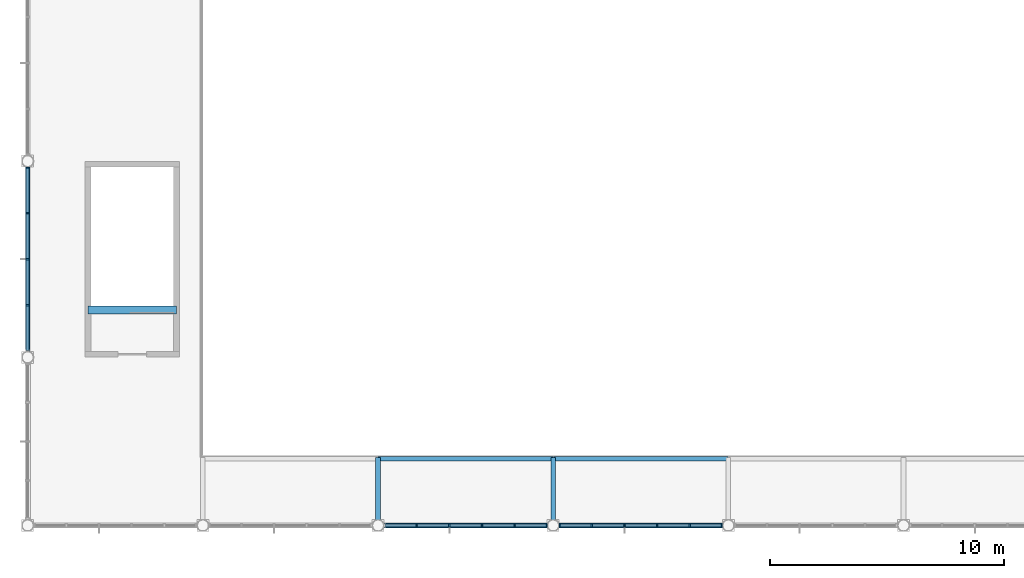
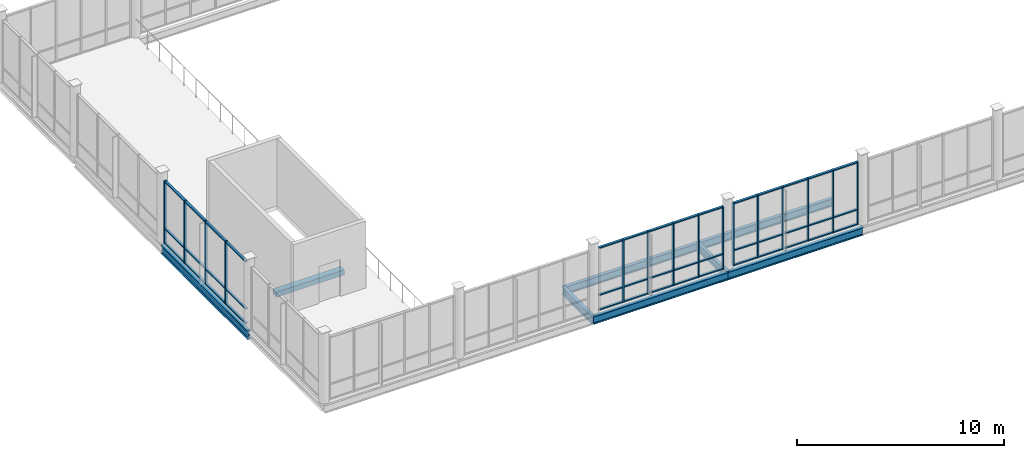
# One storey, part 16 of 75: 57 members, 8 beams, 3 elements without a shape of their own.
"""IFC4 building model written with IfcOpenShell, lengths in metres."""

from ifc_helpers import new_model, si_unit, direction, frame, origin, origin_2d, place, context, subcontext, project, spatial, rectangle, i_section, extrude, material, layer, layer_set, material_profile, profile_set, type_object, element, aggregate, save


model = new_model("IFC4")

# Units and contexts
model_context = context("Model", 3, precision=1e-05, world=origin(), true_north=direction((0.0, 1.0)))
body_context = subcontext(model_context, "Body", "Model", "MODEL_VIEW")
ifc_project = project(units=[si_unit("LENGTHUNIT", "METRE"), si_unit("AREAUNIT", "SQUARE_METRE"), si_unit("VOLUMEUNIT", "CUBIC_METRE"), si_unit("PLANEANGLEUNIT", "RADIAN"), si_unit("MASSUNIT", "GRAM", prefix="KILO")], contexts=[model_context])

# Site, building, storey
site_placement = place(None, origin())
site = spatial("IfcSite", under=ifc_project, at=site_placement, CompositionType="ELEMENT")
building_placement = place(site_placement, origin())
building = spatial("IfcBuilding", under=site, at=building_placement, Name="Yukiwa Park Conservatory and Herbarium", CompositionType="ELEMENT")
storey_placement = place(building_placement, frame((0.0, 0.0, 4.800048828125)))
storey = spatial("IfcBuildingStorey", under=building, at=storey_placement, Name="L01", CompositionType="ELEMENT", Elevation=4.800048828125)

# Beams
ifc_material_1 = material(Name="Steel Q355D", Category="steel")
ifc_material_profile_1 = material_profile(ifc_material_1, i_section(OverallWidth=0.199951171875, OverallDepth=0.449951171875, WebThickness=0.009033203125, FlangeThickness=0.013916015625, FilletRadius=0.01806640625, at=origin_2d()), Name="HN 450x200x9x14")
ifc_profile_set_1 = profile_set([ifc_material_profile_1], Name="Steel Q355D")
beam_type_1 = type_object("IfcBeamType", Name="BM-GRD-HN450", PredefinedType="BEAM", material=ifc_profile_set_1)
for number, where, z_axis, x_axis, name in (
    (1, (15.006103515625, 0.0, -0.465087890625), (1.0, 0.0, 0.0), (0.0, 1.0, 0.0), "L01 grid beam X-3"),
    (2, (22.506103515625, 0.0, -0.465087890625), (1.0, 0.0, 0.0), (0.0, 1.0, 0.0), "L01 grid beam X-4"),
):
    element("IfcBeam", number, at=place(storey_placement, frame(where, z_axis=z_axis, x_axis=x_axis)), inside=storey, type_object=beam_type_1, Name=name, PredefinedType="BEAM", context=body_context, shape_type="SweptSolid", body=[
        extrude(i_section(OverallWidth=0.199951171875, OverallDepth=0.449951171875, WebThickness=0.009033203125, FlangeThickness=0.013916015625, FilletRadius=0.01806640625, at=origin_2d()), origin(), (0.0, 0.0, 1.0), 7.48779296875),
    ])
beam_1_placement = place(storey_placement, frame((15.0, 0.006103515625, -0.465087890625), z_axis=(0.0, 1.0, 0.0), x_axis=(-1.0, 0.0, 0.0)))
element("IfcBeam", 3, at=beam_1_placement, inside=storey, type_object=beam_type_1, Name="Conservatory canopy walk cantilever bracket 2", PredefinedType="BEAM", context=body_context, shape_type="SweptSolid", body=[
    extrude(i_section(OverallWidth=0.199951171875, OverallDepth=0.449951171875, WebThickness=0.009033203125, FlangeThickness=0.013916015625, FilletRadius=0.01806640625, at=origin_2d()), origin(), (0.0, 0.0, 1.0), 2.893798828125),
])
beam_2_placement = place(storey_placement, frame((15.006103515625, 2.85009765625, -0.465087890625), z_axis=(1.0, 0.0, 0.0), x_axis=(0.0, 1.0, 0.0)))
element("IfcBeam", 4, at=beam_2_placement, inside=storey, type_object=beam_type_1, Name="Conservatory canopy walk edge beam 2", PredefinedType="BEAM", context=body_context, shape_type="SweptSolid", body=[
    extrude(i_section(OverallWidth=0.199951171875, OverallDepth=0.449951171875, WebThickness=0.009033203125, FlangeThickness=0.013916015625, FilletRadius=0.01806640625, at=origin_2d()), origin(), (0.0, 0.0, 1.0), 7.48779296875),
])
beam_3_placement = place(storey_placement, frame((22.5, 0.006103515625, -0.465087890625), z_axis=(0.0, 1.0, 0.0), x_axis=(-1.0, 0.0, 0.0)))
element("IfcBeam", 5, at=beam_3_placement, inside=storey, type_object=beam_type_1, Name="Conservatory canopy walk cantilever bracket 3", PredefinedType="BEAM", context=body_context, shape_type="SweptSolid", body=[
    extrude(i_section(OverallWidth=0.199951171875, OverallDepth=0.449951171875, WebThickness=0.009033203125, FlangeThickness=0.013916015625, FilletRadius=0.01806640625, at=origin_2d()), origin(), (0.0, 0.0, 1.0), 2.893798828125),
])
beam_4_placement = place(storey_placement, frame((22.506103515625, 2.85009765625, -0.465087890625), z_axis=(1.0, 0.0, 0.0), x_axis=(0.0, 1.0, 0.0)))
element("IfcBeam", 6, at=beam_4_placement, inside=storey, type_object=beam_type_1, Name="Conservatory canopy walk edge beam 3", PredefinedType="BEAM", context=body_context, shape_type="SweptSolid", body=[
    extrude(i_section(OverallWidth=0.199951171875, OverallDepth=0.449951171875, WebThickness=0.009033203125, FlangeThickness=0.013916015625, FilletRadius=0.01806640625, at=origin_2d()), origin(), (0.0, 0.0, 1.0), 7.48779296875),
])
ifc_material_2 = material(Name="Steel Q355D", Category="steel")
ifc_material_profile_2 = material_profile(ifc_material_2, i_section(OverallWidth=0.199951171875, OverallDepth=0.5, WebThickness=0.010009765625, FlangeThickness=0.01611328125, FilletRadius=0.02001953125, at=origin_2d()), Name="HN 500x200x10x16")
ifc_profile_set_2 = profile_set([ifc_material_profile_2], Name="Steel Q355D")
beam_type_2 = type_object("IfcBeamType", Name="BM-GRD-HN500", PredefinedType="BEAM", material=ifc_profile_set_2)
beam_5_placement = place(storey_placement, frame((0.0, 7.2060546875, -0.489990234375), z_axis=(0.0, 1.0, 0.0), x_axis=(-1.0, 0.0, 0.0)))
element("IfcBeam", 7, at=beam_5_placement, inside=storey, type_object=beam_type_2, Name="L01 grid girder Y-104", PredefinedType="BEAM", context=body_context, shape_type="SweptSolid", body=[
    extrude(i_section(OverallWidth=0.199951171875, OverallDepth=0.5, WebThickness=0.010009765625, FlangeThickness=0.01611328125, FilletRadius=0.02001953125, at=origin_2d()), origin(), (0.0, 0.0, 1.0), 8.387939453125),
])
ifc_material_3 = material(Name="Concrete C40", Category="concrete")
ifc_material_profile_3 = material_profile(ifc_material_3, rectangle(XDim=0.35009765625, YDim=0.300048828125, at=origin_2d()), Name="RC 350x300")
ifc_profile_set_3 = profile_set([ifc_material_profile_3], Name="Concrete C40")
beam_type_3 = type_object("IfcBeamType", Name="BM-STAIR-TRIM", PredefinedType="BEAM", material=ifc_profile_set_3)
beam_6_placement = place(storey_placement, frame((2.580078125, 9.22998046875, -0.150146484375), z_axis=(1.0, 0.0, 0.0), x_axis=(0.0, 1.0, 0.0)))
element("IfcBeam", 8, at=beam_6_placement, inside=storey, type_object=beam_type_3, Name="Stair ST-C1 L01 landing trimmer beam", PredefinedType="BEAM", context=body_context, shape_type="SweptSolid", body=[
    extrude(rectangle(XDim=0.35009765625, YDim=0.300048828125, at=origin_2d()), origin(), (0.0, 0.0, 1.0), 3.7900390625),
])

# Curtain wall, members
ifc_material_4 = material(Name="Triple Low-E Insulated Glass", Category="glass")
ifc_layer_1 = layer(ifc_material_4, 0.152099609375)
ifc_layer_set_1 = layer_set([ifc_layer_1], Name="Triple Low-E Insulated Glass")
curtain_wall_type_1 = type_object("IfcCurtainWallType", Name="CW-CONSERVATORY-1500", PredefinedType="NOTDEFINED", material=ifc_layer_set_1)
curtain_wall_1_placement = place(storey_placement, origin())
curtain_wall_1 = element("IfcCurtainWall", 9, at=curtain_wall_1_placement, inside=storey, type_object=curtain_wall_type_1, Name="L01 unitised curtain wall CW-L01-028", PredefinedType="NOTDEFINED")
ifc_material_5 = material(Name="Anodised Aluminium", Category="aluminium")
member_type_1 = type_object("IfcMemberType", Name="MB-CW-MUL-70X150", PredefinedType="MULLION", material=ifc_material_5)
member_1_placement = place(storey_placement, frame((16.65234375, 0.0, 0.0), z_axis=(0.0, 0.0, 1.0), x_axis=(1.0, 0.0, 0.0)))
member_1 = element("IfcMember", 10, at=member_1_placement, type_object=member_type_1, Name="CW-L01-028 mullion 2", PredefinedType="MULLION", context=body_context, shape_type="SweptSolid", body=[
    extrude(rectangle(XDim=0.070068359375, YDim=0.14990234375, at=origin_2d()), origin(), (0.0, 0.0, 1.0), 3.699951171875),
])
member_2_placement = place(storey_placement, frame((18.05078125, 0.0, 0.0), z_axis=(0.0, 0.0, 1.0), x_axis=(1.0, 0.0, 0.0)))
member_2 = element("IfcMember", 11, at=member_2_placement, type_object=member_type_1, Name="CW-L01-028 mullion 3", PredefinedType="MULLION", context=body_context, shape_type="SweptSolid", body=[
    extrude(rectangle(XDim=0.070068359375, YDim=0.14990234375, at=origin_2d()), origin(), (0.0, 0.0, 1.0), 3.699951171875),
])
member_3_placement = place(storey_placement, frame((19.44921875, 0.0, 0.0), z_axis=(0.0, 0.0, 1.0), x_axis=(1.0, 0.0, 0.0)))
member_3 = element("IfcMember", 12, at=member_3_placement, type_object=member_type_1, Name="CW-L01-028 mullion 4", PredefinedType="MULLION", context=body_context, shape_type="SweptSolid", body=[
    extrude(rectangle(XDim=0.070068359375, YDim=0.14990234375, at=origin_2d()), origin(), (0.0, 0.0, 1.0), 3.699951171875),
])
member_4_placement = place(storey_placement, frame((20.84765625, 0.0, 0.0), z_axis=(0.0, 0.0, 1.0), x_axis=(1.0, 0.0, 0.0)))
member_4 = element("IfcMember", 13, at=member_4_placement, type_object=member_type_1, Name="CW-L01-028 mullion 5", PredefinedType="MULLION", context=body_context, shape_type="SweptSolid", body=[
    extrude(rectangle(XDim=0.070068359375, YDim=0.14990234375, at=origin_2d()), origin(), (0.0, 0.0, 1.0), 3.699951171875),
])
member_5_placement = place(storey_placement, frame((22.2109375, 0.0, 0.0), z_axis=(0.0, 0.0, 1.0), x_axis=(1.0, 0.0, 0.0)))
member_5 = element("IfcMember", 14, at=member_5_placement, type_object=member_type_1, Name="CW-L01-028 mullion 6", PredefinedType="MULLION", context=body_context, shape_type="SweptSolid", body=[
    extrude(rectangle(XDim=0.070068359375, YDim=0.14990234375, at=origin_2d()), origin(), (0.0, 0.0, 1.0), 3.699951171875),
])

curtain_wall_2_placement = place(storey_placement, origin())
curtain_wall_2 = element("IfcCurtainWall", 15, at=curtain_wall_2_placement, inside=storey, type_object=curtain_wall_type_1, Name="L01 unitised curtain wall CW-L01-029", PredefinedType="NOTDEFINED")
member_6_placement = place(storey_placement, frame((22.7890625, 0.0, 0.0), z_axis=(0.0, 0.0, 1.0), x_axis=(1.0, 0.0, 0.0)))
member_6 = element("IfcMember", 16, at=member_6_placement, type_object=member_type_1, Name="CW-L01-029 mullion 1", PredefinedType="MULLION", context=body_context, shape_type="SweptSolid", body=[
    extrude(rectangle(XDim=0.070068359375, YDim=0.14990234375, at=origin_2d()), origin(), (0.0, 0.0, 1.0), 3.699951171875),
])
member_7_placement = place(storey_placement, frame((24.15234375, 0.0, 0.0), z_axis=(0.0, 0.0, 1.0), x_axis=(1.0, 0.0, 0.0)))
member_7 = element("IfcMember", 17, at=member_7_placement, type_object=member_type_1, Name="CW-L01-029 mullion 2", PredefinedType="MULLION", context=body_context, shape_type="SweptSolid", body=[
    extrude(rectangle(XDim=0.070068359375, YDim=0.14990234375, at=origin_2d()), origin(), (0.0, 0.0, 1.0), 3.699951171875),
])
member_8_placement = place(storey_placement, frame((25.55078125, 0.0, 0.0), z_axis=(0.0, 0.0, 1.0), x_axis=(1.0, 0.0, 0.0)))
member_8 = element("IfcMember", 18, at=member_8_placement, type_object=member_type_1, Name="CW-L01-029 mullion 3", PredefinedType="MULLION", context=body_context, shape_type="SweptSolid", body=[
    extrude(rectangle(XDim=0.070068359375, YDim=0.14990234375, at=origin_2d()), origin(), (0.0, 0.0, 1.0), 3.699951171875),
])
member_9_placement = place(storey_placement, frame((26.94921875, 0.0, 0.0), z_axis=(0.0, 0.0, 1.0), x_axis=(1.0, 0.0, 0.0)))
member_9 = element("IfcMember", 19, at=member_9_placement, type_object=member_type_1, Name="CW-L01-029 mullion 4", PredefinedType="MULLION", context=body_context, shape_type="SweptSolid", body=[
    extrude(rectangle(XDim=0.070068359375, YDim=0.14990234375, at=origin_2d()), origin(), (0.0, 0.0, 1.0), 3.699951171875),
])
member_10_placement = place(storey_placement, frame((28.34765625, 0.0, 0.0), z_axis=(0.0, 0.0, 1.0), x_axis=(1.0, 0.0, 0.0)))
member_10 = element("IfcMember", 20, at=member_10_placement, type_object=member_type_1, Name="CW-L01-029 mullion 5", PredefinedType="MULLION", context=body_context, shape_type="SweptSolid", body=[
    extrude(rectangle(XDim=0.070068359375, YDim=0.14990234375, at=origin_2d()), origin(), (0.0, 0.0, 1.0), 3.699951171875),
])
member_11_placement = place(storey_placement, frame((29.7109375, 0.0, 0.0), z_axis=(0.0, 0.0, 1.0), x_axis=(1.0, 0.0, 0.0)))
member_11 = element("IfcMember", 21, at=member_11_placement, type_object=member_type_1, Name="CW-L01-029 mullion 6", PredefinedType="MULLION", context=body_context, shape_type="SweptSolid", body=[
    extrude(rectangle(XDim=0.070068359375, YDim=0.14990234375, at=origin_2d()), origin(), (0.0, 0.0, 1.0), 3.699951171875),
])

ifc_material_6 = material(Name="Triple Low-E Insulated Glass", Category="glass")
ifc_layer_2 = layer(ifc_material_6, 0.1640625)
ifc_layer_set_2 = layer_set([ifc_layer_2], Name="Triple Low-E Insulated Glass")
curtain_wall_type_2 = type_object("IfcCurtainWallType", Name="CW-CONSERVATORY-1875", PredefinedType="NOTDEFINED", material=ifc_layer_set_2)
curtain_wall_3_placement = place(storey_placement, origin())
curtain_wall_3 = element("IfcCurtainWall", 22, at=curtain_wall_3_placement, inside=storey, type_object=curtain_wall_type_2, Name="L01 unitised curtain wall CW-L01-060", PredefinedType="NOTDEFINED")
member_12_placement = place(storey_placement, frame((0.0, 15.31103515625, 0.0), z_axis=(0.0, 0.0, 1.0), x_axis=(0.0, -1.0, 0.0)))
member_12 = element("IfcMember", 23, at=member_12_placement, type_object=member_type_1, Name="CW-L01-060 mullion 1", PredefinedType="MULLION", context=body_context, shape_type="SweptSolid", body=[
    extrude(rectangle(XDim=0.070068359375, YDim=0.14990234375, at=origin_2d()), origin(), (0.0, 0.0, 1.0), 3.699951171875),
])
member_13_placement = place(storey_placement, frame((0.0, 13.373046875, 0.0), z_axis=(0.0, 0.0, 1.0), x_axis=(0.0, -1.0, 0.0)))
member_13 = element("IfcMember", 24, at=member_13_placement, type_object=member_type_1, Name="CW-L01-060 mullion 2", PredefinedType="MULLION", context=body_context, shape_type="SweptSolid", body=[
    extrude(rectangle(XDim=0.070068359375, YDim=0.14990234375, at=origin_2d()), origin(), (0.0, 0.0, 1.0), 3.699951171875),
])
member_14_placement = place(storey_placement, frame((0.0, 11.39990234375, 0.0), z_axis=(0.0, 0.0, 1.0), x_axis=(0.0, -1.0, 0.0)))
member_14 = element("IfcMember", 25, at=member_14_placement, type_object=member_type_1, Name="CW-L01-060 mullion 3", PredefinedType="MULLION", context=body_context, shape_type="SweptSolid", body=[
    extrude(rectangle(XDim=0.070068359375, YDim=0.14990234375, at=origin_2d()), origin(), (0.0, 0.0, 1.0), 3.699951171875),
])
member_15_placement = place(storey_placement, frame((0.0, 9.427001953125, 0.0), z_axis=(0.0, 0.0, 1.0), x_axis=(0.0, -1.0, 0.0)))
member_15 = element("IfcMember", 26, at=member_15_placement, type_object=member_type_1, Name="CW-L01-060 mullion 4", PredefinedType="MULLION", context=body_context, shape_type="SweptSolid", body=[
    extrude(rectangle(XDim=0.070068359375, YDim=0.14990234375, at=origin_2d()), origin(), (0.0, 0.0, 1.0), 3.699951171875),
])

# Member
ifc_material_7 = material(Name="Anodised Aluminium", Category="aluminium")
member_type_2 = type_object("IfcMemberType", Name="MB-CW-TRN-70X130", PredefinedType="USERDEFINED", material=ifc_material_7)
member_16_placement = place(storey_placement, frame((15.953125, 0.0, 0.0), z_axis=(0.0, 0.0, 1.0), x_axis=(1.0, 0.0, 0.0)))
member_16 = element("IfcMember", 27, at=member_16_placement, type_object=member_type_2, Name="CW-L01-028 transom 1.1", ObjectType="TRANSOM", PredefinedType="USERDEFINED", context=body_context, shape_type="SweptSolid", body=[
    extrude(rectangle(XDim=1.328369140625, YDim=0.1298828125, at=origin_2d()), origin(), (0.0, 0.0, 1.0), 0.070068359375),
])

member_17_placement = place(storey_placement, frame((15.953125, 0.0, 0.86474609375), z_axis=(0.0, 0.0, 1.0), x_axis=(1.0, 0.0, 0.0)))
member_17 = element("IfcMember", 28, at=member_17_placement, type_object=member_type_2, Name="CW-L01-028 transom 1.2", ObjectType="TRANSOM", PredefinedType="USERDEFINED", context=body_context, shape_type="SweptSolid", body=[
    extrude(rectangle(XDim=1.328369140625, YDim=0.1298828125, at=origin_2d()), origin(), (0.0, 0.0, 1.0), 0.070068359375),
])

member_18_placement = place(storey_placement, frame((15.953125, 0.0, 3.6298828125), z_axis=(0.0, 0.0, 1.0), x_axis=(1.0, 0.0, 0.0)))
member_18 = element("IfcMember", 29, at=member_18_placement, type_object=member_type_2, Name="CW-L01-028 transom 1.3", ObjectType="TRANSOM", PredefinedType="USERDEFINED", context=body_context, shape_type="SweptSolid", body=[
    extrude(rectangle(XDim=1.328369140625, YDim=0.1298828125, at=origin_2d()), origin(), (0.0, 0.0, 1.0), 0.070068359375),
])

member_19_placement = place(storey_placement, frame((17.3515625, 0.0, 0.0), z_axis=(0.0, 0.0, 1.0), x_axis=(1.0, 0.0, 0.0)))
member_19 = element("IfcMember", 30, at=member_19_placement, type_object=member_type_2, Name="CW-L01-028 transom 2.1", ObjectType="TRANSOM", PredefinedType="USERDEFINED", context=body_context, shape_type="SweptSolid", body=[
    extrude(rectangle(XDim=1.328369140625, YDim=0.1298828125, at=origin_2d()), origin(), (0.0, 0.0, 1.0), 0.070068359375),
])

member_20_placement = place(storey_placement, frame((17.3515625, 0.0, 0.86474609375), z_axis=(0.0, 0.0, 1.0), x_axis=(1.0, 0.0, 0.0)))
member_20 = element("IfcMember", 31, at=member_20_placement, type_object=member_type_2, Name="CW-L01-028 transom 2.2", ObjectType="TRANSOM", PredefinedType="USERDEFINED", context=body_context, shape_type="SweptSolid", body=[
    extrude(rectangle(XDim=1.328369140625, YDim=0.1298828125, at=origin_2d()), origin(), (0.0, 0.0, 1.0), 0.070068359375),
])

member_21_placement = place(storey_placement, frame((17.3515625, 0.0, 3.6298828125), z_axis=(0.0, 0.0, 1.0), x_axis=(1.0, 0.0, 0.0)))
member_21 = element("IfcMember", 32, at=member_21_placement, type_object=member_type_2, Name="CW-L01-028 transom 2.3", ObjectType="TRANSOM", PredefinedType="USERDEFINED", context=body_context, shape_type="SweptSolid", body=[
    extrude(rectangle(XDim=1.328369140625, YDim=0.1298828125, at=origin_2d()), origin(), (0.0, 0.0, 1.0), 0.070068359375),
])

member_22_placement = place(storey_placement, frame((18.75, 0.0, 0.0), z_axis=(0.0, 0.0, 1.0), x_axis=(1.0, 0.0, 0.0)))
member_22 = element("IfcMember", 33, at=member_22_placement, type_object=member_type_2, Name="CW-L01-028 transom 3.1", ObjectType="TRANSOM", PredefinedType="USERDEFINED", context=body_context, shape_type="SweptSolid", body=[
    extrude(rectangle(XDim=1.328369140625, YDim=0.1298828125, at=origin_2d()), origin(), (0.0, 0.0, 1.0), 0.070068359375),
])

member_23_placement = place(storey_placement, frame((18.75, 0.0, 0.86474609375), z_axis=(0.0, 0.0, 1.0), x_axis=(1.0, 0.0, 0.0)))
member_23 = element("IfcMember", 34, at=member_23_placement, type_object=member_type_2, Name="CW-L01-028 transom 3.2", ObjectType="TRANSOM", PredefinedType="USERDEFINED", context=body_context, shape_type="SweptSolid", body=[
    extrude(rectangle(XDim=1.328369140625, YDim=0.1298828125, at=origin_2d()), origin(), (0.0, 0.0, 1.0), 0.070068359375),
])

member_24_placement = place(storey_placement, frame((18.75, 0.0, 3.6298828125), z_axis=(0.0, 0.0, 1.0), x_axis=(1.0, 0.0, 0.0)))
member_24 = element("IfcMember", 35, at=member_24_placement, type_object=member_type_2, Name="CW-L01-028 transom 3.3", ObjectType="TRANSOM", PredefinedType="USERDEFINED", context=body_context, shape_type="SweptSolid", body=[
    extrude(rectangle(XDim=1.328369140625, YDim=0.1298828125, at=origin_2d()), origin(), (0.0, 0.0, 1.0), 0.070068359375),
])

member_25_placement = place(storey_placement, frame((20.1484375, 0.0, 0.0), z_axis=(0.0, 0.0, 1.0), x_axis=(1.0, 0.0, 0.0)))
member_25 = element("IfcMember", 36, at=member_25_placement, type_object=member_type_2, Name="CW-L01-028 transom 4.1", ObjectType="TRANSOM", PredefinedType="USERDEFINED", context=body_context, shape_type="SweptSolid", body=[
    extrude(rectangle(XDim=1.328369140625, YDim=0.1298828125, at=origin_2d()), origin(), (0.0, 0.0, 1.0), 0.070068359375),
])

member_26_placement = place(storey_placement, frame((20.1484375, 0.0, 0.86474609375), z_axis=(0.0, 0.0, 1.0), x_axis=(1.0, 0.0, 0.0)))
member_26 = element("IfcMember", 37, at=member_26_placement, type_object=member_type_2, Name="CW-L01-028 transom 4.2", ObjectType="TRANSOM", PredefinedType="USERDEFINED", context=body_context, shape_type="SweptSolid", body=[
    extrude(rectangle(XDim=1.328369140625, YDim=0.1298828125, at=origin_2d()), origin(), (0.0, 0.0, 1.0), 0.070068359375),
])

member_27_placement = place(storey_placement, frame((20.1484375, 0.0, 3.6298828125), z_axis=(0.0, 0.0, 1.0), x_axis=(1.0, 0.0, 0.0)))
member_27 = element("IfcMember", 38, at=member_27_placement, type_object=member_type_2, Name="CW-L01-028 transom 4.3", ObjectType="TRANSOM", PredefinedType="USERDEFINED", context=body_context, shape_type="SweptSolid", body=[
    extrude(rectangle(XDim=1.328369140625, YDim=0.1298828125, at=origin_2d()), origin(), (0.0, 0.0, 1.0), 0.070068359375),
])

member_28_placement = place(storey_placement, frame((21.546875, 0.0, 0.0), z_axis=(0.0, 0.0, 1.0), x_axis=(1.0, 0.0, 0.0)))
member_28 = element("IfcMember", 39, at=member_28_placement, type_object=member_type_2, Name="CW-L01-028 transom 5.1", ObjectType="TRANSOM", PredefinedType="USERDEFINED", context=body_context, shape_type="SweptSolid", body=[
    extrude(rectangle(XDim=1.328369140625, YDim=0.1298828125, at=origin_2d()), origin(), (0.0, 0.0, 1.0), 0.070068359375),
])

member_29_placement = place(storey_placement, frame((21.546875, 0.0, 0.86474609375), z_axis=(0.0, 0.0, 1.0), x_axis=(1.0, 0.0, 0.0)))
member_29 = element("IfcMember", 40, at=member_29_placement, type_object=member_type_2, Name="CW-L01-028 transom 5.2", ObjectType="TRANSOM", PredefinedType="USERDEFINED", context=body_context, shape_type="SweptSolid", body=[
    extrude(rectangle(XDim=1.328369140625, YDim=0.1298828125, at=origin_2d()), origin(), (0.0, 0.0, 1.0), 0.070068359375),
])

member_30_placement = place(storey_placement, frame((21.546875, 0.0, 3.6298828125), z_axis=(0.0, 0.0, 1.0), x_axis=(1.0, 0.0, 0.0)))
member_30 = element("IfcMember", 41, at=member_30_placement, type_object=member_type_2, Name="CW-L01-028 transom 5.3", ObjectType="TRANSOM", PredefinedType="USERDEFINED", context=body_context, shape_type="SweptSolid", body=[
    extrude(rectangle(XDim=1.328369140625, YDim=0.1298828125, at=origin_2d()), origin(), (0.0, 0.0, 1.0), 0.070068359375),
])

aggregate(curtain_wall_1, [member_1, member_2, member_3, member_4, member_5, member_16, member_17, member_18, member_19, member_20, member_21, member_22, member_23, member_24, member_25, member_26, member_27, member_28, member_29, member_30])

member_31_placement = place(storey_placement, frame((23.453125, 0.0, 0.0), z_axis=(0.0, 0.0, 1.0), x_axis=(1.0, 0.0, 0.0)))
member_31 = element("IfcMember", 42, at=member_31_placement, type_object=member_type_2, Name="CW-L01-029 transom 1.1", ObjectType="TRANSOM", PredefinedType="USERDEFINED", context=body_context, shape_type="SweptSolid", body=[
    extrude(rectangle(XDim=1.328369140625, YDim=0.1298828125, at=origin_2d()), origin(), (0.0, 0.0, 1.0), 0.070068359375),
])

member_32_placement = place(storey_placement, frame((23.453125, 0.0, 0.86474609375), z_axis=(0.0, 0.0, 1.0), x_axis=(1.0, 0.0, 0.0)))
member_32 = element("IfcMember", 43, at=member_32_placement, type_object=member_type_2, Name="CW-L01-029 transom 1.2", ObjectType="TRANSOM", PredefinedType="USERDEFINED", context=body_context, shape_type="SweptSolid", body=[
    extrude(rectangle(XDim=1.328369140625, YDim=0.1298828125, at=origin_2d()), origin(), (0.0, 0.0, 1.0), 0.070068359375),
])

member_33_placement = place(storey_placement, frame((23.453125, 0.0, 3.6298828125), z_axis=(0.0, 0.0, 1.0), x_axis=(1.0, 0.0, 0.0)))
member_33 = element("IfcMember", 44, at=member_33_placement, type_object=member_type_2, Name="CW-L01-029 transom 1.3", ObjectType="TRANSOM", PredefinedType="USERDEFINED", context=body_context, shape_type="SweptSolid", body=[
    extrude(rectangle(XDim=1.328369140625, YDim=0.1298828125, at=origin_2d()), origin(), (0.0, 0.0, 1.0), 0.070068359375),
])

member_34_placement = place(storey_placement, frame((24.8515625, 0.0, 0.0), z_axis=(0.0, 0.0, 1.0), x_axis=(1.0, 0.0, 0.0)))
member_34 = element("IfcMember", 45, at=member_34_placement, type_object=member_type_2, Name="CW-L01-029 transom 2.1", ObjectType="TRANSOM", PredefinedType="USERDEFINED", context=body_context, shape_type="SweptSolid", body=[
    extrude(rectangle(XDim=1.328369140625, YDim=0.1298828125, at=origin_2d()), origin(), (0.0, 0.0, 1.0), 0.070068359375),
])

member_35_placement = place(storey_placement, frame((24.8515625, 0.0, 0.86474609375), z_axis=(0.0, 0.0, 1.0), x_axis=(1.0, 0.0, 0.0)))
member_35 = element("IfcMember", 46, at=member_35_placement, type_object=member_type_2, Name="CW-L01-029 transom 2.2", ObjectType="TRANSOM", PredefinedType="USERDEFINED", context=body_context, shape_type="SweptSolid", body=[
    extrude(rectangle(XDim=1.328369140625, YDim=0.1298828125, at=origin_2d()), origin(), (0.0, 0.0, 1.0), 0.070068359375),
])

member_36_placement = place(storey_placement, frame((24.8515625, 0.0, 3.6298828125), z_axis=(0.0, 0.0, 1.0), x_axis=(1.0, 0.0, 0.0)))
member_36 = element("IfcMember", 47, at=member_36_placement, type_object=member_type_2, Name="CW-L01-029 transom 2.3", ObjectType="TRANSOM", PredefinedType="USERDEFINED", context=body_context, shape_type="SweptSolid", body=[
    extrude(rectangle(XDim=1.328369140625, YDim=0.1298828125, at=origin_2d()), origin(), (0.0, 0.0, 1.0), 0.070068359375),
])

member_37_placement = place(storey_placement, frame((26.25, 0.0, 0.0), z_axis=(0.0, 0.0, 1.0), x_axis=(1.0, 0.0, 0.0)))
member_37 = element("IfcMember", 48, at=member_37_placement, type_object=member_type_2, Name="CW-L01-029 transom 3.1", ObjectType="TRANSOM", PredefinedType="USERDEFINED", context=body_context, shape_type="SweptSolid", body=[
    extrude(rectangle(XDim=1.328369140625, YDim=0.1298828125, at=origin_2d()), origin(), (0.0, 0.0, 1.0), 0.070068359375),
])

member_38_placement = place(storey_placement, frame((26.25, 0.0, 0.86474609375), z_axis=(0.0, 0.0, 1.0), x_axis=(1.0, 0.0, 0.0)))
member_38 = element("IfcMember", 49, at=member_38_placement, type_object=member_type_2, Name="CW-L01-029 transom 3.2", ObjectType="TRANSOM", PredefinedType="USERDEFINED", context=body_context, shape_type="SweptSolid", body=[
    extrude(rectangle(XDim=1.328369140625, YDim=0.1298828125, at=origin_2d()), origin(), (0.0, 0.0, 1.0), 0.070068359375),
])

member_39_placement = place(storey_placement, frame((26.25, 0.0, 3.6298828125), z_axis=(0.0, 0.0, 1.0), x_axis=(1.0, 0.0, 0.0)))
member_39 = element("IfcMember", 50, at=member_39_placement, type_object=member_type_2, Name="CW-L01-029 transom 3.3", ObjectType="TRANSOM", PredefinedType="USERDEFINED", context=body_context, shape_type="SweptSolid", body=[
    extrude(rectangle(XDim=1.328369140625, YDim=0.1298828125, at=origin_2d()), origin(), (0.0, 0.0, 1.0), 0.070068359375),
])

member_40_placement = place(storey_placement, frame((27.6484375, 0.0, 0.0), z_axis=(0.0, 0.0, 1.0), x_axis=(1.0, 0.0, 0.0)))
member_40 = element("IfcMember", 51, at=member_40_placement, type_object=member_type_2, Name="CW-L01-029 transom 4.1", ObjectType="TRANSOM", PredefinedType="USERDEFINED", context=body_context, shape_type="SweptSolid", body=[
    extrude(rectangle(XDim=1.328369140625, YDim=0.1298828125, at=origin_2d()), origin(), (0.0, 0.0, 1.0), 0.070068359375),
])

member_41_placement = place(storey_placement, frame((27.6484375, 0.0, 0.86474609375), z_axis=(0.0, 0.0, 1.0), x_axis=(1.0, 0.0, 0.0)))
member_41 = element("IfcMember", 52, at=member_41_placement, type_object=member_type_2, Name="CW-L01-029 transom 4.2", ObjectType="TRANSOM", PredefinedType="USERDEFINED", context=body_context, shape_type="SweptSolid", body=[
    extrude(rectangle(XDim=1.328369140625, YDim=0.1298828125, at=origin_2d()), origin(), (0.0, 0.0, 1.0), 0.070068359375),
])

member_42_placement = place(storey_placement, frame((27.6484375, 0.0, 3.6298828125), z_axis=(0.0, 0.0, 1.0), x_axis=(1.0, 0.0, 0.0)))
member_42 = element("IfcMember", 53, at=member_42_placement, type_object=member_type_2, Name="CW-L01-029 transom 4.3", ObjectType="TRANSOM", PredefinedType="USERDEFINED", context=body_context, shape_type="SweptSolid", body=[
    extrude(rectangle(XDim=1.328369140625, YDim=0.1298828125, at=origin_2d()), origin(), (0.0, 0.0, 1.0), 0.070068359375),
])

member_43_placement = place(storey_placement, frame((29.046875, 0.0, 0.0), z_axis=(0.0, 0.0, 1.0), x_axis=(1.0, 0.0, 0.0)))
member_43 = element("IfcMember", 54, at=member_43_placement, type_object=member_type_2, Name="CW-L01-029 transom 5.1", ObjectType="TRANSOM", PredefinedType="USERDEFINED", context=body_context, shape_type="SweptSolid", body=[
    extrude(rectangle(XDim=1.328369140625, YDim=0.1298828125, at=origin_2d()), origin(), (0.0, 0.0, 1.0), 0.070068359375),
])

member_44_placement = place(storey_placement, frame((29.046875, 0.0, 0.86474609375), z_axis=(0.0, 0.0, 1.0), x_axis=(1.0, 0.0, 0.0)))
member_44 = element("IfcMember", 55, at=member_44_placement, type_object=member_type_2, Name="CW-L01-029 transom 5.2", ObjectType="TRANSOM", PredefinedType="USERDEFINED", context=body_context, shape_type="SweptSolid", body=[
    extrude(rectangle(XDim=1.328369140625, YDim=0.1298828125, at=origin_2d()), origin(), (0.0, 0.0, 1.0), 0.070068359375),
])

member_45_placement = place(storey_placement, frame((29.046875, 0.0, 3.6298828125), z_axis=(0.0, 0.0, 1.0), x_axis=(1.0, 0.0, 0.0)))
member_45 = element("IfcMember", 56, at=member_45_placement, type_object=member_type_2, Name="CW-L01-029 transom 5.3", ObjectType="TRANSOM", PredefinedType="USERDEFINED", context=body_context, shape_type="SweptSolid", body=[
    extrude(rectangle(XDim=1.328369140625, YDim=0.1298828125, at=origin_2d()), origin(), (0.0, 0.0, 1.0), 0.070068359375),
])

aggregate(curtain_wall_2, [member_6, member_7, member_8, member_9, member_10, member_11, member_31, member_32, member_33, member_34, member_35, member_36, member_37, member_38, member_39, member_40, member_41, member_42, member_43, member_44, member_45])

member_46_placement = place(storey_placement, frame((0.0, 14.359619140625, 0.0), z_axis=(0.0, 0.0, 1.0), x_axis=(0.0, -1.0, 0.0)))
member_46 = element("IfcMember", 57, at=member_46_placement, type_object=member_type_2, Name="CW-L01-060 transom 1.1", ObjectType="TRANSOM", PredefinedType="USERDEFINED", context=body_context, shape_type="SweptSolid", body=[
    extrude(rectangle(XDim=1.903076171875, YDim=0.1298828125, at=origin_2d()), origin(), (0.0, 0.0, 1.0), 0.070068359375),
])

member_47_placement = place(storey_placement, frame((0.0, 14.359619140625, 0.86474609375), z_axis=(0.0, 0.0, 1.0), x_axis=(0.0, -1.0, 0.0)))
member_47 = element("IfcMember", 58, at=member_47_placement, type_object=member_type_2, Name="CW-L01-060 transom 1.2", ObjectType="TRANSOM", PredefinedType="USERDEFINED", context=body_context, shape_type="SweptSolid", body=[
    extrude(rectangle(XDim=1.903076171875, YDim=0.1298828125, at=origin_2d()), origin(), (0.0, 0.0, 1.0), 0.070068359375),
])

member_48_placement = place(storey_placement, frame((0.0, 14.359619140625, 3.6298828125), z_axis=(0.0, 0.0, 1.0), x_axis=(0.0, -1.0, 0.0)))
member_48 = element("IfcMember", 59, at=member_48_placement, type_object=member_type_2, Name="CW-L01-060 transom 1.3", ObjectType="TRANSOM", PredefinedType="USERDEFINED", context=body_context, shape_type="SweptSolid", body=[
    extrude(rectangle(XDim=1.903076171875, YDim=0.1298828125, at=origin_2d()), origin(), (0.0, 0.0, 1.0), 0.070068359375),
])

member_49_placement = place(storey_placement, frame((0.0, 12.386474609375, 0.0), z_axis=(0.0, 0.0, 1.0), x_axis=(0.0, -1.0, 0.0)))
member_49 = element("IfcMember", 60, at=member_49_placement, type_object=member_type_2, Name="CW-L01-060 transom 2.1", ObjectType="TRANSOM", PredefinedType="USERDEFINED", context=body_context, shape_type="SweptSolid", body=[
    extrude(rectangle(XDim=1.903076171875, YDim=0.1298828125, at=origin_2d()), origin(), (0.0, 0.0, 1.0), 0.070068359375),
])

member_50_placement = place(storey_placement, frame((0.0, 12.386474609375, 0.86474609375), z_axis=(0.0, 0.0, 1.0), x_axis=(0.0, -1.0, 0.0)))
member_50 = element("IfcMember", 61, at=member_50_placement, type_object=member_type_2, Name="CW-L01-060 transom 2.2", ObjectType="TRANSOM", PredefinedType="USERDEFINED", context=body_context, shape_type="SweptSolid", body=[
    extrude(rectangle(XDim=1.903076171875, YDim=0.1298828125, at=origin_2d()), origin(), (0.0, 0.0, 1.0), 0.070068359375),
])

member_51_placement = place(storey_placement, frame((0.0, 12.386474609375, 3.6298828125), z_axis=(0.0, 0.0, 1.0), x_axis=(0.0, -1.0, 0.0)))
member_51 = element("IfcMember", 62, at=member_51_placement, type_object=member_type_2, Name="CW-L01-060 transom 2.3", ObjectType="TRANSOM", PredefinedType="USERDEFINED", context=body_context, shape_type="SweptSolid", body=[
    extrude(rectangle(XDim=1.903076171875, YDim=0.1298828125, at=origin_2d()), origin(), (0.0, 0.0, 1.0), 0.070068359375),
])

member_52_placement = place(storey_placement, frame((0.0, 10.41357421875, 0.0), z_axis=(0.0, 0.0, 1.0), x_axis=(0.0, -1.0, 0.0)))
member_52 = element("IfcMember", 63, at=member_52_placement, type_object=member_type_2, Name="CW-L01-060 transom 3.1", ObjectType="TRANSOM", PredefinedType="USERDEFINED", context=body_context, shape_type="SweptSolid", body=[
    extrude(rectangle(XDim=1.903076171875, YDim=0.1298828125, at=origin_2d()), origin(), (0.0, 0.0, 1.0), 0.070068359375),
])

member_53_placement = place(storey_placement, frame((0.0, 10.41357421875, 0.86474609375), z_axis=(0.0, 0.0, 1.0), x_axis=(0.0, -1.0, 0.0)))
member_53 = element("IfcMember", 64, at=member_53_placement, type_object=member_type_2, Name="CW-L01-060 transom 3.2", ObjectType="TRANSOM", PredefinedType="USERDEFINED", context=body_context, shape_type="SweptSolid", body=[
    extrude(rectangle(XDim=1.903076171875, YDim=0.1298828125, at=origin_2d()), origin(), (0.0, 0.0, 1.0), 0.070068359375),
])

member_54_placement = place(storey_placement, frame((0.0, 10.41357421875, 3.6298828125), z_axis=(0.0, 0.0, 1.0), x_axis=(0.0, -1.0, 0.0)))
member_54 = element("IfcMember", 65, at=member_54_placement, type_object=member_type_2, Name="CW-L01-060 transom 3.3", ObjectType="TRANSOM", PredefinedType="USERDEFINED", context=body_context, shape_type="SweptSolid", body=[
    extrude(rectangle(XDim=1.903076171875, YDim=0.1298828125, at=origin_2d()), origin(), (0.0, 0.0, 1.0), 0.070068359375),
])

member_55_placement = place(storey_placement, frame((0.0, 8.4404296875, 0.0), z_axis=(0.0, 0.0, 1.0), x_axis=(0.0, -1.0, 0.0)))
member_55 = element("IfcMember", 66, at=member_55_placement, type_object=member_type_2, Name="CW-L01-060 transom 4.1", ObjectType="TRANSOM", PredefinedType="USERDEFINED", context=body_context, shape_type="SweptSolid", body=[
    extrude(rectangle(XDim=1.903076171875, YDim=0.1298828125, at=origin_2d()), origin(), (0.0, 0.0, 1.0), 0.070068359375),
])

member_56_placement = place(storey_placement, frame((0.0, 8.4404296875, 0.86474609375), z_axis=(0.0, 0.0, 1.0), x_axis=(0.0, -1.0, 0.0)))
member_56 = element("IfcMember", 67, at=member_56_placement, type_object=member_type_2, Name="CW-L01-060 transom 4.2", ObjectType="TRANSOM", PredefinedType="USERDEFINED", context=body_context, shape_type="SweptSolid", body=[
    extrude(rectangle(XDim=1.903076171875, YDim=0.1298828125, at=origin_2d()), origin(), (0.0, 0.0, 1.0), 0.070068359375),
])

member_57_placement = place(storey_placement, frame((0.0, 8.4404296875, 3.6298828125), z_axis=(0.0, 0.0, 1.0), x_axis=(0.0, -1.0, 0.0)))
member_57 = element("IfcMember", 68, at=member_57_placement, type_object=member_type_2, Name="CW-L01-060 transom 4.3", ObjectType="TRANSOM", PredefinedType="USERDEFINED", context=body_context, shape_type="SweptSolid", body=[
    extrude(rectangle(XDim=1.903076171875, YDim=0.1298828125, at=origin_2d()), origin(), (0.0, 0.0, 1.0), 0.070068359375),
])

aggregate(curtain_wall_3, [member_12, member_13, member_14, member_15, member_46, member_47, member_48, member_49, member_50, member_51, member_52, member_53, member_54, member_55, member_56, member_57])

save(model, "model.ifc")
